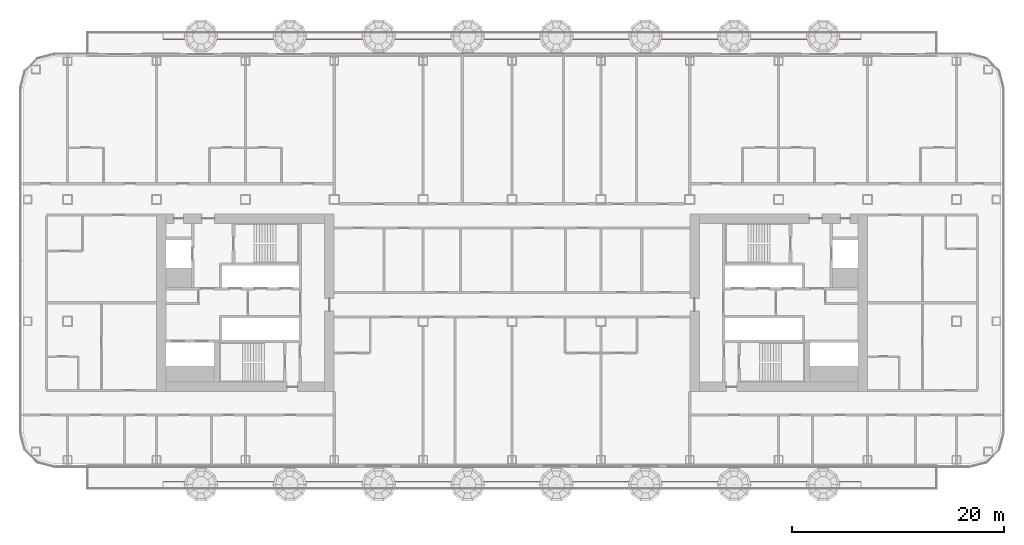
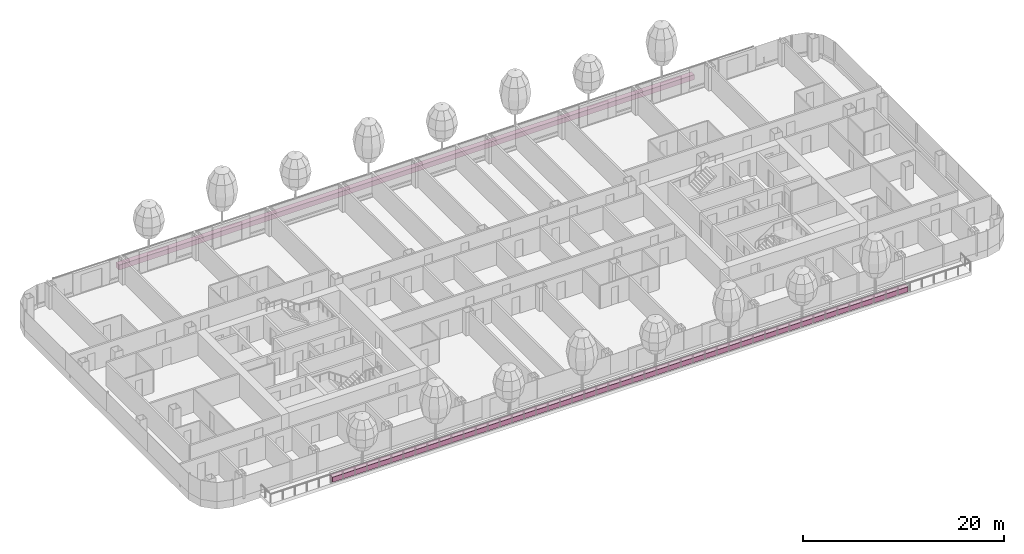
# One storey, part 30 of 34: 2 furniture elements.
"""IFC4 building model written with IfcOpenShell, lengths in metres."""

import ifcopenshell
import ifcopenshell.guid

model = None  # the IFC model being written
_history = None  # IfcOwnerHistory: only IFC2X3 demands one
_inside = {}  # id of a spatial element -> (the spatial element, [elements in it])
_under = {}  # id of a project, library or spatial element -> (it, [spatial elements below it])
_declared = {}  # id of a project -> (the project, [libraries it declares])
_typed = {}  # id of a type object -> (the type object, [elements of that type])
_made_of = {}  # id of a material, layer set ... -> (it, [elements and type objects made of it])


def new_model(schema):
    """Start an empty IFC model of exactly this schema.

    Asked for "IFC4X3", IfcOpenShell would pick the latest addendum, in which some entities
    have other attributes; the version numbers below select the first issue.
    IFC2X3 requires an IfcOwnerHistory on every rooted entity: one is made here for all.
    """
    global model, _history
    if schema == "IFC4X3":
        model = ifcopenshell.file(schema_version=(4, 3, 0, 0))
    else:
        model = ifcopenshell.file(schema=schema)
    _inside.clear()
    _under.clear()
    _declared.clear()
    _typed.clear()
    _made_of.clear()
    _history = None
    if model.schema == "IFC2X3":
        org = make("IfcOrganization", Name="unknown")
        user = make(
            "IfcPersonAndOrganization",
            ThePerson=make("IfcPerson", FamilyName="unknown"),
            TheOrganization=org,
        )
        app = make(
            "IfcApplication",
            ApplicationDeveloper=org,
            Version="unknown",
            ApplicationFullName="unknown",
            ApplicationIdentifier="unknown",
        )
        _history = make(
            "IfcOwnerHistory",
            OwningUser=user,
            OwningApplication=app,
            ChangeAction="ADDED",
            CreationDate=0,
        )
    return model


def make(cls, **values):
    """One entity of the class cls with the attributes given. An attribute that is None is left unset."""
    return model.create_entity(
        cls, **{name: value for name, value in values.items() if value is not None}
    )


def rooted(cls, **values):
    """An entity with a GlobalId (a new one), such as an element, a storey or a relation."""
    return make(cls, GlobalId=ifcopenshell.guid.new(), OwnerHistory=_history, **values)


def si_unit(unit_type, name, prefix=None):
    """IfcSIUnit, for example si_unit("LENGTHUNIT", "METRE", prefix="MILLI")."""
    return make("IfcSIUnit", UnitType=unit_type, Prefix=prefix, Name=name)


def assignment(units):
    """IfcUnitAssignment: the units of a project."""
    return None if units is None else make("IfcUnitAssignment", Units=units)


def point(xyz):
    """IfcCartesianPoint."""
    return None if xyz is None else make("IfcCartesianPoint", Coordinates=xyz)


def direction(xyz):
    """IfcDirection."""
    return None if xyz is None else make("IfcDirection", DirectionRatios=xyz)


def frame(location, z_axis=None, x_axis=None):
    """IfcAxis2Placement3D, a coordinate frame: its origin and axes. An axis left out is left unset."""
    return make(
        "IfcAxis2Placement3D",
        Location=point(location),
        Axis=direction(z_axis),
        RefDirection=direction(x_axis),
    )


def frame_2d(location, x_axis=None):
    """IfcAxis2Placement2D, a coordinate frame in the plane: its origin and x axis."""
    return make(
        "IfcAxis2Placement2D", Location=point(location), RefDirection=direction(x_axis)
    )


def origin():
    """The frame at (0, 0, 0) with its axes left unset."""
    return frame((0.0, 0.0, 0.0))


def origin_2d():
    """The frame at (0, 0) in the plane with its x axis left unset."""
    return frame_2d((0.0, 0.0))


def place(relative_to, where):
    """IfcLocalPlacement: puts the frame where relative to a parent placement (None: the world)."""
    return make(
        "IfcLocalPlacement", PlacementRelTo=relative_to, RelativePlacement=where
    )


def context(
    kind, dimensions, precision=None, world=None, true_north=None, identifier=None
):
    """IfcGeometricRepresentationContext, for example the 3D "Model" context."""
    return make(
        "IfcGeometricRepresentationContext",
        ContextIdentifier=identifier,
        ContextType=kind,
        CoordinateSpaceDimension=dimensions,
        Precision=precision,
        WorldCoordinateSystem=world,
        TrueNorth=true_north,
    )


def subcontext(parent, identifier, kind, view, scale=None):
    """IfcGeometricRepresentationSubContext, for example "Body" below "Model"."""
    return make(
        "IfcGeometricRepresentationSubContext",
        ContextIdentifier=identifier,
        ContextType=kind,
        ParentContext=parent,
        TargetScale=scale,
        TargetView=view,
    )


def project(units=None, contexts=None):
    """IfcProject with its units and contexts."""
    return rooted(
        "IfcProject",
        Name="project",
        RepresentationContexts=contexts,
        UnitsInContext=assignment(units),
    )


def spatial(cls, under=None, at=None, **own):
    """A site, building, storey or space (cls), placed at a placement, below another one or the project."""
    s = rooted(cls, ObjectPlacement=at, **own)
    if under is not None:
        _under.setdefault(under.id(), (under, []))[1].append(s)
    return s


def profile(cls, at=None, kind="AREA", **sizes):
    """A parametric profile (cls). Its sizes go by their IFC names, for example OverallWidth=200.0."""
    return make(cls, ProfileType=kind, Position=at, **sizes)


def rectangle(**sizes):
    """IfcRectangleProfileDef."""
    return profile("IfcRectangleProfileDef", **sizes)


def extrude(swept, where, along, depth):
    """IfcExtrudedAreaSolid: the profile swept, set in the frame where, extruded along a direction by depth."""
    return make(
        "IfcExtrudedAreaSolid",
        SweptArea=swept,
        Position=where,
        ExtrudedDirection=direction(along),
        Depth=depth,
    )


def shape(context_of_items, identifier, shape_type, items):
    """IfcShapeRepresentation: the items that make up one representation, for example the "Body"."""
    return make(
        "IfcShapeRepresentation",
        ContextOfItems=context_of_items,
        RepresentationIdentifier=identifier,
        RepresentationType=shape_type,
        Items=items,
    )


def material(Name=None, Category=None):
    """IfcMaterial."""
    return make("IfcMaterial", Name=Name, Category=Category)


def made_of(thing, what):
    """Note that an element or type object is made of a material, layer set ...; save() writes the relation."""
    if what is not None:
        _made_of.setdefault(what.id(), (what, []))[1].append(thing)
    return thing


def type_object(cls, material=None, **own):
    """A type object (cls), such as IfcWallType, which elements share."""
    return made_of(rooted(cls, **own), material)


def element(
    cls,
    number,
    at=None,
    inside=None,
    cuts=None,
    type_object=None,
    material=None,
    context=None,
    identifier="Body",
    shape_type=None,
    held_by="IfcProductDefinitionShape",
    body=None,
    shapes=None,
    **own,
):
    """One element of the class cls, such as IfcWall. Its Tag is "e" and its number.

    at: its placement. inside: the storey or other place that contains it. cuts: it is an
    opening in that element (IfcRelVoidsElement). A single representation is given by context,
    identifier, shape_type and body (its items); several are given by shapes. held_by: the class
    of the entity that holds the representations. save() writes the other relations.
    """
    e = rooted(cls, Tag="e%d" % number, ObjectPlacement=at, **own)
    if body is not None:
        shapes = [shape(context, identifier, shape_type, body)]
    if shapes is not None:
        e.Representation = make(held_by, Representations=shapes)
    if inside is not None:
        _inside.setdefault(inside.id(), (inside, []))[1].append(e)
    if cuts is not None:
        rooted(
            "IfcRelVoidsElement", RelatingBuildingElement=cuts, RelatedOpeningElement=e
        )
    if type_object is not None:
        _typed.setdefault(type_object.id(), (type_object, []))[1].append(e)
    return made_of(e, material)


def aggregate(whole, parts):
    """IfcRelAggregates: a whole, such as a stair, and the parts it consists of."""
    return rooted("IfcRelAggregates", RelatingObject=whole, RelatedObjects=parts)


def save(model, path):
    """Write the relations noted so far, then the file.

    IfcRelAggregates (storeys below a building ...), IfcRelContainedInSpatialStructure (elements
    in a storey), IfcRelDefinesByType, IfcRelAssociatesMaterial and IfcRelDeclares: one each for
    every whole, place, type object, material and project.
    """
    for whole, parts in _under.values():
        aggregate(whole, parts)
    for where, things in _inside.values():
        rooted(
            "IfcRelContainedInSpatialStructure",
            RelatedElements=things,
            RelatingStructure=where,
        )
    for kind, things in _typed.values():
        rooted("IfcRelDefinesByType", RelatedObjects=things, RelatingType=kind)
    for what, things in _made_of.values():
        rooted("IfcRelAssociatesMaterial", RelatedObjects=things, RelatingMaterial=what)
    for by, libraries in _declared.values():
        rooted("IfcRelDeclares", RelatingContext=by, RelatedDefinitions=libraries)
    model.write(path)


model = new_model("IFC4")

# Units and contexts
model_context = context("Model", 3, precision=1e-05, world=origin(), true_north=direction((0.0, 1.0)))
body_context = subcontext(model_context, "Body", "Model", "MODEL_VIEW")
ifc_project = project(units=[si_unit("LENGTHUNIT", "METRE"), si_unit("AREAUNIT", "SQUARE_METRE"), si_unit("VOLUMEUNIT", "CUBIC_METRE"), si_unit("PLANEANGLEUNIT", "RADIAN"), si_unit("MASSUNIT", "GRAM", prefix="KILO")], contexts=[model_context])

# Site, building, storey
site_placement = place(None, origin())
site = spatial("IfcSite", under=ifc_project, at=site_placement, CompositionType="ELEMENT")
building_placement = place(site_placement, origin())
building = spatial("IfcBuilding", under=site, at=building_placement, Name="Hakoniwa Tower and Hamabe Station Hall", CompositionType="ELEMENT")
storey_placement = place(building_placement, frame((0.0, 0.0, 107.39990234375)))
storey = spatial("IfcBuildingStorey", under=building, at=storey_placement, Name="L30", CompositionType="ELEMENT", Elevation=107.39990234375)

# Furniture
ifc_material = material(Name="Aluminium 6063-T5 black anodised trough with lightweight soil", Category="aluminium")
furniture_type = type_object("IfcFurnitureType", Name="Planter 600x600", AssemblyPlace="SITE", PredefinedType="USERDEFINED", material=ifc_material)
for number, where, z_axis, x_axis, name in (
    (1, (0.0, 25.199951171875, 0.0), (0.0, 0.0, 1.0), (1.0, 0.0, 0.0), "Planter 600x600"),
    (2, (0.0, -17.199951171875, 0.0), (0.0, 0.0, 1.0), (1.0, 0.0, 0.0), "Planter 600x600"),
):
    element("IfcFurniture", number, at=place(storey_placement, frame(where, z_axis=z_axis, x_axis=x_axis)), inside=storey, type_object=furniture_type, Name=name, ObjectType="PLANTER", PredefinedType="USERDEFINED", context=body_context, shape_type="SweptSolid", body=[
        extrude(rectangle(XDim=66.0, YDim=0.60009765625, at=origin_2d()), origin(), (0.0, 0.0, 1.0), 0.60009765625),
    ])

save(model, "model.ifc")
